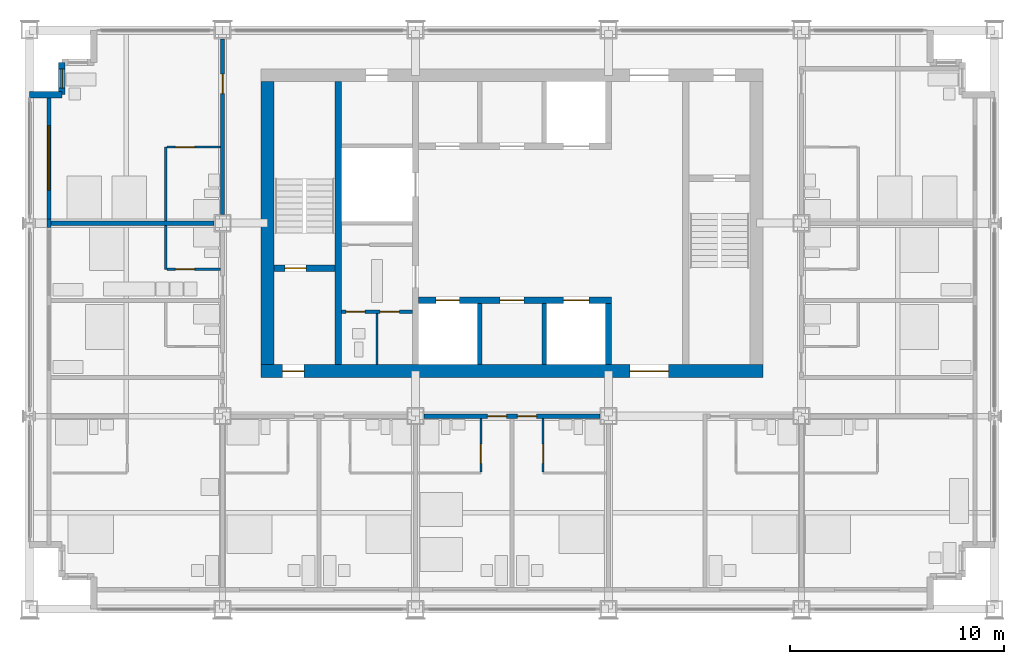
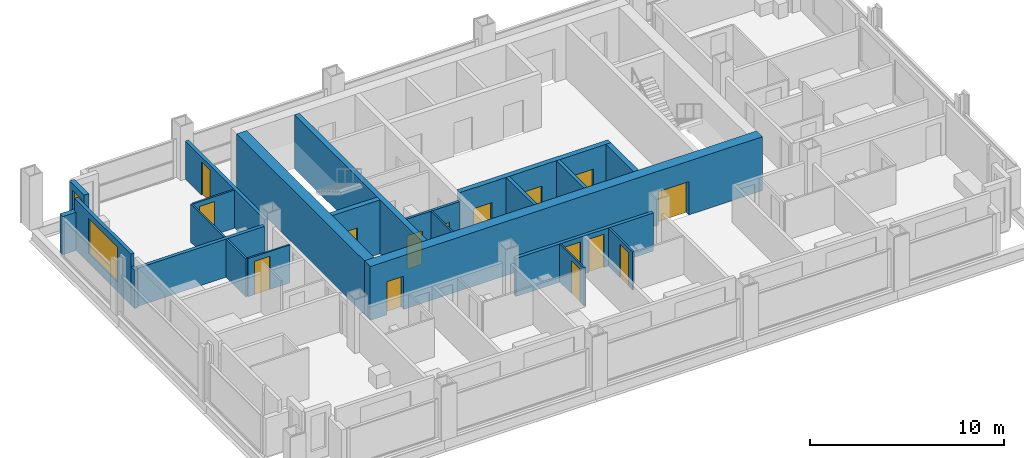
# One storey, part 8 of 14: 23 walls, 15 doors, 2 windows, 17 openings.
"""IFC4 building model written with IfcOpenShell, lengths in metres."""

from ifc_helpers import new_model, si_unit, direction, frame, frame_2d, origin, place, context, subcontext, project, spatial, rectangle, extrude, material, layer, layer_set, type_object, element, fill, save


model = new_model("IFC4")

# Units and contexts
model_context = context("Model", 3, precision=1e-05, world=origin(), true_north=direction((0.0, 1.0)))
body_context = subcontext(model_context, "Body", "Model", "MODEL_VIEW")
ifc_project = project(units=[si_unit("LENGTHUNIT", "METRE"), si_unit("AREAUNIT", "SQUARE_METRE"), si_unit("VOLUMEUNIT", "CUBIC_METRE"), si_unit("PLANEANGLEUNIT", "RADIAN"), si_unit("MASSUNIT", "GRAM", prefix="KILO")], contexts=[model_context])

# Site, building, storey
site_placement = place(None, origin())
site = spatial("IfcSite", under=ifc_project, at=site_placement, CompositionType="ELEMENT")
building_placement = place(site_placement, origin())
building = spatial("IfcBuilding", under=site, at=building_placement, Name="Loomwork Tower", CompositionType="ELEMENT")
storey_placement = place(building_placement, frame((0.0, 0.0, 167.199951171875)))
storey = spatial("IfcBuildingStorey", under=building, at=storey_placement, Name="L45", CompositionType="ELEMENT", Elevation=167.199951171875)

# Wall
ifc_material_1 = material(Name="Concrete 14000 psi (97 MPa)", Category="concrete")
ifc_layer_1 = layer(ifc_material_1, 0.300048828125)
ifc_layer_set_1 = layer_set([ifc_layer_1], Name="Core shear wall 300")
wall_type_1 = type_object("IfcWallType", Name="Core shear wall 300", PredefinedType="SHEAR", material=ifc_layer_set_1)
wall_1_placement = place(storey_placement, frame((14.39990234375, 11.39990234375, 0.0), z_axis=(0.0, 0.0, 1.0), x_axis=(0.0, 1.0, 0.0)))
element("IfcWall", 1, at=wall_1_placement, inside=storey, type_object=wall_type_1, Name="Stair A east wall L45", PredefinedType="SHEAR", context=body_context, shape_type="SweptSolid", body=[
    extrude(rectangle(XDim=13.2001953125, YDim=0.300048828125, at=frame_2d((6.60009765625, 0.0))), origin(), (0.0, 0.0, 1.0), 3.400146484375),
])

# Wall, opening, door
wall_2_placement = place(storey_placement, frame((11.39990234375, 15.89990234375, 0.0), z_axis=(0.0, 0.0, 1.0), x_axis=(1.0, 0.0, 0.0)))
wall_2 = element("IfcWall", 2, at=wall_2_placement, inside=storey, type_object=wall_type_1, Name="Stair A south wall L45", PredefinedType="SHEAR", context=body_context, shape_type="SweptSolid", body=[
    extrude(rectangle(XDim=2.85009765625, YDim=0.300048828125, at=frame_2d((1.425048828125, 0.0))), origin(), (0.0, 0.0, 1.0), 3.400146484375),
])
opening_1_placement = place(wall_2_placement, frame((0.5, 0.0, 0.0)))
opening_1 = element("IfcOpeningElement", 3, at=opening_1_placement, cuts=wall_2, Name="Opening D4", PredefinedType="OPENING", context=body_context, shape_type="SweptSolid", body=[
    extrude(rectangle(XDim=1.0, YDim=2.10009765625, at=frame_2d((0.5, 1.050048828125))), frame((0.0, 0.159912109375, 0.0), z_axis=(0.0, -1.0, 0.0), x_axis=(1.0, 0.0, 0.0)), (0.0, 0.0, 1.0), 0.320068359375),
])
ifc_material_2 = material(Name="Hollow metal door and frame")
door_type_1 = type_object("IfcDoorType", Name="Stair door 1000", OperationType="SINGLE_SWING_RIGHT", PredefinedType="DOOR", material=ifc_material_2)
door_1_placement = place(opening_1_placement, origin())
door_1 = element("IfcDoor", 4, at=door_1_placement, inside=storey, type_object=door_type_1, Name="Stair A door", OperationType="SINGLE_SWING_LEFT", OverallHeight=2.10009765625, OverallWidth=1.0, PredefinedType="DOOR", context=body_context, shape_type="SweptSolid", body=[
    extrude(rectangle(XDim=1.0, YDim=2.10009765625, at=frame_2d((0.5, 1.050048828125))), frame((0.0, 0.02490234375, 0.0), z_axis=(0.0, -1.0, 0.0), x_axis=(1.0, 0.0, 0.0)), (0.0, 0.0, 1.0), 0.050048828125),
])
fill(opening_1, door_1)

# Wall, openings, doors
wall_3_placement = place(storey_placement, frame((18.14990234375, 14.39990234375, 0.0), z_axis=(0.0, 0.0, 1.0), x_axis=(1.0, 0.0, 0.0)))
wall_3 = element("IfcWall", 5, at=wall_3_placement, inside=storey, type_object=wall_type_1, Name="Lift front wall south L45", PredefinedType="SHEAR", context=body_context, shape_type="SweptSolid", body=[
    extrude(rectangle(XDim=9.0, YDim=0.300048828125, at=frame_2d((4.5, 0.0))), origin(), (0.0, 0.0, 1.0), 3.400146484375),
])
opening_2_placement = place(wall_3_placement, frame((0.800048828125, 0.0, 0.0)))
opening_2 = element("IfcOpeningElement", 6, at=opening_2_placement, cuts=wall_3, Name="Opening LD1", PredefinedType="OPENING", context=body_context, shape_type="SweptSolid", body=[
    extrude(rectangle(XDim=1.10009765625, YDim=2.10009765625, at=frame_2d((0.550048828125, 1.050048828125))), frame((0.0, 0.159912109375, 0.0), z_axis=(0.0, -1.0, 0.0), x_axis=(1.0, 0.0, 0.0)), (0.0, 0.0, 1.0), 0.320068359375),
])
opening_3_placement = place(wall_3_placement, frame((6.75, 0.0, 0.0)))
opening_3 = element("IfcOpeningElement", 7, at=opening_3_placement, cuts=wall_3, Name="Opening LD2", PredefinedType="OPENING", context=body_context, shape_type="SweptSolid", body=[
    extrude(rectangle(XDim=1.199951171875, YDim=2.10009765625, at=frame_2d((0.60009765625, 1.050048828125))), frame((0.0, 0.159912109375, 0.0), z_axis=(0.0, -1.0, 0.0), x_axis=(1.0, 0.0, 0.0)), (0.0, 0.0, 1.0), 0.320068359375),
])
opening_4_placement = place(wall_3_placement, frame((3.800048828125, 0.0, 0.0)))
opening_4 = element("IfcOpeningElement", 8, at=opening_4_placement, cuts=wall_3, Name="Opening D17", PredefinedType="OPENING", context=body_context, shape_type="SweptSolid", body=[
    extrude(rectangle(XDim=1.10009765625, YDim=2.10009765625, at=frame_2d((0.550048828125, 1.050048828125))), frame((0.0, 0.159912109375, 0.0), z_axis=(0.0, -1.0, 0.0), x_axis=(1.0, 0.0, 0.0)), (0.0, 0.0, 1.0), 0.320068359375),
])
ifc_material_3 = material(Name="Hollow metal door and frame")
door_type_2 = type_object("IfcDoorType", Name="Lift landing door 1100", OperationType="SLIDING_TO_LEFT", PredefinedType="DOOR", material=ifc_material_3)
door_2_placement = place(opening_2_placement, origin())
door_2 = element("IfcDoor", 9, at=door_2_placement, inside=storey, type_object=door_type_2, Name="Lift landing door LC1", OperationType="SLIDING_TO_LEFT", OverallHeight=2.10009765625, OverallWidth=1.10009765625, PredefinedType="DOOR", context=body_context, shape_type="SweptSolid", body=[
    extrude(rectangle(XDim=1.10009765625, YDim=2.10009765625, at=frame_2d((0.550048828125, 1.050048828125))), frame((0.0, 0.02490234375, 0.0), z_axis=(0.0, -1.0, 0.0), x_axis=(1.0, 0.0, 0.0)), (0.0, 0.0, 1.0), 0.050048828125),
])
fill(opening_2, door_2)
ifc_material_4 = material(Name="Hollow metal door and frame")
door_type_3 = type_object("IfcDoorType", Name="Lift landing door 1200", OperationType="SLIDING_TO_LEFT", PredefinedType="DOOR", material=ifc_material_4)
door_3_placement = place(opening_3_placement, origin())
door_3 = element("IfcDoor", 10, at=door_3_placement, inside=storey, type_object=door_type_3, Name="Lift landing door LF1", OperationType="SLIDING_TO_LEFT", OverallHeight=2.10009765625, OverallWidth=1.199951171875, PredefinedType="DOOR", context=body_context, shape_type="SweptSolid", body=[
    extrude(rectangle(XDim=1.199951171875, YDim=2.10009765625, at=frame_2d((0.60009765625, 1.050048828125))), frame((0.0, 0.02490234375, 0.0), z_axis=(0.0, -1.0, 0.0), x_axis=(1.0, 0.0, 0.0)), (0.0, 0.0, 1.0), 0.050048828125),
])
fill(opening_3, door_3)
ifc_material_5 = material(Name="Hollow metal door and frame")
door_type_4 = type_object("IfcDoorType", Name="Service room door 1100", OperationType="SINGLE_SWING_LEFT", PredefinedType="DOOR", material=ifc_material_5)
door_4_placement = place(opening_4_placement, frame((1.10009765625, 0.0, 0.0), z_axis=(0.0, 0.0, 1.0), x_axis=(-1.0, 0.0, 0.0)))
door_4 = element("IfcDoor", 11, at=door_4_placement, inside=storey, type_object=door_type_4, Name="Guest pantry, ice and vending door L45", OperationType="SINGLE_SWING_RIGHT", OverallHeight=2.10009765625, OverallWidth=1.10009765625, PredefinedType="DOOR", context=body_context, shape_type="SweptSolid", body=[
    extrude(rectangle(XDim=1.10009765625, YDim=2.10009765625, at=frame_2d((0.550048828125, 1.050048828125))), frame((0.0, 0.02490234375, 0.0), z_axis=(0.0, -1.0, 0.0), x_axis=(1.0, 0.0, 0.0)), (0.0, 0.0, 1.0), 0.050048828125),
])
fill(opening_4, door_4)

# Wall
wall_4_placement = place(storey_placement, frame((27.0, 11.39990234375, 0.0), z_axis=(0.0, 0.0, 1.0), x_axis=(0.0, 1.0, 0.0)))
element("IfcWall", 12, at=wall_4_placement, inside=storey, type_object=wall_type_1, Name="Lift shaft end wall south L45", PredefinedType="SHEAR", context=body_context, shape_type="SweptSolid", body=[
    extrude(rectangle(XDim=2.85009765625, YDim=0.300048828125, at=frame_2d((1.425048828125, 0.0))), origin(), (0.0, 0.0, 1.0), 3.400146484375),
])

# Wall, openings, doors
ifc_material_6 = material(Name="Concrete 14000 psi (97 MPa)", Category="concrete")
ifc_layer_2 = layer(ifc_material_6, 0.60009765625)
ifc_layer_set_2 = layer_set([ifc_layer_2], Name="Core shear wall 600")
wall_type_2 = type_object("IfcWallType", Name="Core shear wall 600", PredefinedType="SHEAR", material=ifc_layer_set_2)
wall_5_placement = place(storey_placement, frame((10.800048828125, 11.10009765625, 0.0), z_axis=(0.0, 0.0, 1.0), x_axis=(1.0, 0.0, 0.0)))
wall_5 = element("IfcWall", 13, at=wall_5_placement, inside=storey, type_object=wall_type_2, Name="Core wall south L45", PredefinedType="SHEAR", context=body_context, shape_type="SweptSolid", body=[
    extrude(rectangle(XDim=23.39990234375, YDim=0.60009765625, at=frame_2d((11.699951171875, 0.0))), origin(), (0.0, 0.0, 1.0), 3.400146484375),
])
opening_5_placement = place(wall_5_placement, frame((1.0, 0.0, 0.0)))
opening_5 = element("IfcOpeningElement", 14, at=opening_5_placement, cuts=wall_5, Name="Opening D4", PredefinedType="OPENING", context=body_context, shape_type="SweptSolid", body=[
    extrude(rectangle(XDim=1.0, YDim=2.10009765625, at=frame_2d((0.5, 1.050048828125))), frame((0.0, 0.31005859375, 0.0), z_axis=(0.0, -1.0, 0.0), x_axis=(1.0, 0.0, 0.0)), (0.0, 0.0, 1.0), 0.6201171875),
])
opening_6_placement = place(wall_5_placement, frame((17.199951171875, 0.0, 0.0)))
opening_6 = element("IfcOpeningElement", 15, at=opening_6_placement, cuts=wall_5, Name="Opening D6", PredefinedType="OPENING", context=body_context, shape_type="SweptSolid", body=[
    extrude(rectangle(XDim=1.800048828125, YDim=2.10009765625, at=frame_2d((0.89990234375, 1.050048828125))), frame((0.0, 0.31005859375, 0.0), z_axis=(0.0, -1.0, 0.0), x_axis=(1.0, 0.0, 0.0)), (0.0, 0.0, 1.0), 0.6201171875),
])
ifc_material_7 = material(Name="Hollow metal door and frame")
door_type_5 = type_object("IfcDoorType", Name="Lobby passage double door 1800", OperationType="DOUBLE_DOOR_SINGLE_SWING", PredefinedType="DOOR", material=ifc_material_7)
door_5_placement = place(opening_6_placement, origin())
door_5 = element("IfcDoor", 16, at=door_5_placement, inside=storey, type_object=door_type_5, Name="Lobby passage door south", OperationType="DOUBLE_DOOR_SINGLE_SWING", OverallHeight=2.10009765625, OverallWidth=1.800048828125, PredefinedType="DOOR", context=body_context, shape_type="SweptSolid", body=[
    extrude(rectangle(XDim=1.800048828125, YDim=2.10009765625, at=frame_2d((0.89990234375, 1.050048828125))), frame((0.0, 0.02490234375, 0.0), z_axis=(0.0, -1.0, 0.0), x_axis=(1.0, 0.0, 0.0)), (0.0, 0.0, 1.0), 0.050048828125),
])
fill(opening_6, door_5)
door_6_placement = place(opening_5_placement, origin())
door_6 = element("IfcDoor", 17, at=door_6_placement, inside=storey, type_object=door_type_1, Name="Stair A vestibule door", OperationType="SINGLE_SWING_LEFT", OverallHeight=2.10009765625, OverallWidth=1.0, PredefinedType="DOOR", context=body_context, shape_type="SweptSolid", body=[
    extrude(rectangle(XDim=1.0, YDim=2.10009765625, at=frame_2d((0.5, 1.050048828125))), frame((0.0, 0.02490234375, 0.0), z_axis=(0.0, -1.0, 0.0), x_axis=(1.0, 0.0, 0.0)), (0.0, 0.0, 1.0), 0.050048828125),
])
fill(opening_5, door_6)

# Wall
wall_6_placement = place(storey_placement, frame((11.10009765625, 11.39990234375, 0.0), z_axis=(0.0, 0.0, 1.0), x_axis=(0.0, 1.0, 0.0)))
element("IfcWall", 18, at=wall_6_placement, inside=storey, type_object=wall_type_2, Name="Core wall west L45", PredefinedType="SHEAR", context=body_context, shape_type="SweptSolid", body=[
    extrude(rectangle(XDim=13.2001953125, YDim=0.60009765625, at=frame_2d((6.60009765625, 0.0))), origin(), (0.0, 0.0, 1.0), 3.400146484375),
])

# Wall, openings, doors
ifc_material_8 = material(Name="Gypsum board on steel studs, one-hour", Category="steel")
ifc_layer_3 = layer(ifc_material_8, 0.199951171875)
ifc_layer_set_3 = layer_set([ifc_layer_3], Name="Corridor wall 200")
wall_type_3 = type_object("IfcWallType", Name="Corridor wall 200", PredefinedType="PARTITIONING", material=ifc_layer_set_3)
wall_7_placement = place(storey_placement, frame((18.39990234375, 9.0, 0.0), z_axis=(0.0, 0.0, 1.0), x_axis=(1.0, 0.0, 0.0)))
wall_7 = element("IfcWall", 19, at=wall_7_placement, inside=storey, type_object=wall_type_3, Name="South corridor wall 3", PredefinedType="PARTITIONING", context=body_context, shape_type="SweptSolid", body=[
    extrude(rectangle(XDim=8.2001953125, YDim=0.199951171875, at=frame_2d((4.10009765625, 0.0))), origin(), (0.0, 0.0, 1.0), 2.405029296875),
])
opening_7_placement = place(wall_7_placement, frame((2.949951171875, 0.0, 0.0)))
opening_7 = element("IfcOpeningElement", 20, at=opening_7_placement, cuts=wall_7, Name="Opening D1", PredefinedType="OPENING", context=body_context, shape_type="SweptSolid", body=[
    extrude(rectangle(XDim=0.89990234375, YDim=2.10009765625, at=frame_2d((0.449951171875, 1.050048828125))), frame((0.0, 0.10986328125, 0.0), z_axis=(0.0, -1.0, 0.0), x_axis=(1.0, 0.0, 0.0)), (0.0, 0.0, 1.0), 0.219970703125),
])
opening_8_placement = place(wall_7_placement, frame((4.35009765625, 0.0, 0.0)))
opening_8 = element("IfcOpeningElement", 21, at=opening_8_placement, cuts=wall_7, Name="Opening D1", PredefinedType="OPENING", context=body_context, shape_type="SweptSolid", body=[
    extrude(rectangle(XDim=0.89990234375, YDim=2.10009765625, at=frame_2d((0.449951171875, 1.050048828125))), frame((0.0, 0.10986328125, 0.0), z_axis=(0.0, -1.0, 0.0), x_axis=(1.0, 0.0, 0.0)), (0.0, 0.0, 1.0), 0.219970703125),
])
ifc_material_9 = material(Name="Hollow metal door and frame")
door_type_6 = type_object("IfcDoorType", Name="Guest room entry door 900", OperationType="SINGLE_SWING_LEFT", PredefinedType="DOOR", material=ifc_material_9)
door_7_placement = place(opening_7_placement, frame((0.89990234375, 0.0, 0.0), z_axis=(0.0, 0.0, 1.0), x_axis=(-1.0, 0.0, 0.0)))
door_7 = element("IfcDoor", 22, at=door_7_placement, inside=storey, type_object=door_type_6, Name="Guest room entry door L45 4", OperationType="SINGLE_SWING_LEFT", OverallHeight=2.10009765625, OverallWidth=0.89990234375, PredefinedType="DOOR", context=body_context, shape_type="SweptSolid", body=[
    extrude(rectangle(XDim=0.89990234375, YDim=2.10009765625, at=frame_2d((0.449951171875, 1.050048828125))), frame((0.0, 0.02490234375, 0.0), z_axis=(0.0, -1.0, 0.0), x_axis=(1.0, 0.0, 0.0)), (0.0, 0.0, 1.0), 0.050048828125),
])
fill(opening_7, door_7)
door_8_placement = place(opening_8_placement, frame((0.89990234375, 0.0, 0.0), z_axis=(0.0, 0.0, 1.0), x_axis=(-1.0, 0.0, 0.0)))
door_8 = element("IfcDoor", 23, at=door_8_placement, inside=storey, type_object=door_type_6, Name="Guest room entry door L45 5", OperationType="SINGLE_SWING_RIGHT", OverallHeight=2.10009765625, OverallWidth=0.89990234375, PredefinedType="DOOR", context=body_context, shape_type="SweptSolid", body=[
    extrude(rectangle(XDim=0.89990234375, YDim=2.10009765625, at=frame_2d((0.449951171875, 1.050048828125))), frame((0.0, 0.02490234375, 0.0), z_axis=(0.0, -1.0, 0.0), x_axis=(1.0, 0.0, 0.0)), (0.0, 0.0, 1.0), 0.050048828125),
])
fill(opening_8, door_8)

# Wall, opening, door
wall_8_placement = place(storey_placement, frame((9.0, 18.39990234375, 0.0), z_axis=(0.0, 0.0, 1.0), x_axis=(0.0, 1.0, 0.0)))
wall_8 = element("IfcWall", 24, at=wall_8_placement, inside=storey, type_object=wall_type_3, Name="West corridor wall 2", PredefinedType="PARTITIONING", context=body_context, shape_type="SweptSolid", body=[
    extrude(rectangle(XDim=8.2001953125, YDim=0.199951171875, at=frame_2d((4.10009765625, 0.0))), origin(), (0.0, 0.0, 1.0), 2.405029296875),
])
opening_9_placement = place(wall_8_placement, frame((5.64990234375, 0.0, 0.0)))
opening_9 = element("IfcOpeningElement", 25, at=opening_9_placement, cuts=wall_8, Name="Opening D1", PredefinedType="OPENING", context=body_context, shape_type="SweptSolid", body=[
    extrude(rectangle(XDim=0.89990234375, YDim=2.10009765625, at=frame_2d((0.449951171875, 1.050048828125))), frame((0.0, 0.10986328125, 0.0), z_axis=(0.0, -1.0, 0.0), x_axis=(1.0, 0.0, 0.0)), (0.0, 0.0, 1.0), 0.219970703125),
])
door_9_placement = place(opening_9_placement, origin())
door_9 = element("IfcDoor", 26, at=door_9_placement, inside=storey, type_object=door_type_6, Name="Guest room entry door L45 10", OperationType="SINGLE_SWING_RIGHT", OverallHeight=2.10009765625, OverallWidth=0.89990234375, PredefinedType="DOOR", context=body_context, shape_type="SweptSolid", body=[
    extrude(rectangle(XDim=0.89990234375, YDim=2.10009765625, at=frame_2d((0.449951171875, 1.050048828125))), frame((0.0, 0.02490234375, 0.0), z_axis=(0.0, -1.0, 0.0), x_axis=(1.0, 0.0, 0.0)), (0.0, 0.0, 1.0), 0.050048828125),
])
fill(opening_9, door_9)

ifc_material_10 = material(Name="Cement board on steel studs", Category="steel")
ifc_layer_4 = layer(ifc_material_10, 0.10009765625)
ifc_layer_set_4 = layer_set([ifc_layer_4], Name="En-suite partition 100")
wall_type_4 = type_object("IfcWallType", Name="En-suite partition 100", PredefinedType="PARTITIONING", material=ifc_layer_set_4)
wall_9_placement = place(storey_placement, frame((21.050048828125, 8.89990234375, 0.0), z_axis=(0.0, 0.0, 1.0), x_axis=(0.0, -1.0, 0.0)))
wall_9 = element("IfcWall", 27, at=wall_9_placement, inside=storey, type_object=wall_type_4, Name="En-suite side wall L45 room 4", PredefinedType="PARTITIONING", context=body_context, shape_type="SweptSolid", body=[
    extrude(rectangle(XDim=2.5, YDim=0.10009765625, at=frame_2d((1.25, 0.0))), origin(), (0.0, 0.0, 1.0), 2.404052734375),
])
opening_10_placement = place(wall_9_placement, frame((1.199951171875, 0.0, 0.0)))
opening_10 = element("IfcOpeningElement", 28, at=opening_10_placement, cuts=wall_9, Name="Opening D2", PredefinedType="OPENING", context=body_context, shape_type="SweptSolid", body=[
    extrude(rectangle(XDim=0.89990234375, YDim=2.10009765625, at=frame_2d((0.449951171875, 1.050048828125))), frame((0.0, 0.06005859375, 0.0), z_axis=(0.0, -1.0, 0.0), x_axis=(1.0, 0.0, 0.0)), (0.0, 0.0, 1.0), 0.1201171875),
])
ifc_material_11 = material(Name="Hollow metal door and frame")
door_type_7 = type_object("IfcDoorType", Name="En-suite door 900", OperationType="SINGLE_SWING_LEFT", PredefinedType="DOOR", material=ifc_material_11)
door_10_placement = place(opening_10_placement, frame((0.89990234375, 0.0, 0.0), z_axis=(0.0, 0.0, 1.0), x_axis=(-1.0, 0.0, 0.0)))
door_10 = element("IfcDoor", 29, at=door_10_placement, inside=storey, type_object=door_type_7, Name="En-suite door room 4", OperationType="SINGLE_SWING_LEFT", OverallHeight=2.10009765625, OverallWidth=0.89990234375, PredefinedType="DOOR", context=body_context, shape_type="SweptSolid", body=[
    extrude(rectangle(XDim=0.89990234375, YDim=2.10009765625, at=frame_2d((0.449951171875, 1.050048828125))), frame((0.0, 0.02490234375, 0.0), z_axis=(0.0, -1.0, 0.0), x_axis=(1.0, 0.0, 0.0)), (0.0, 0.0, 1.0), 0.050048828125),
])
fill(opening_10, door_10)

wall_10_placement = place(storey_placement, frame((23.949951171875, 8.89990234375, 0.0), z_axis=(0.0, 0.0, 1.0), x_axis=(0.0, -1.0, 0.0)))
wall_10 = element("IfcWall", 30, at=wall_10_placement, inside=storey, type_object=wall_type_4, Name="En-suite side wall L45 room 5", PredefinedType="PARTITIONING", context=body_context, shape_type="SweptSolid", body=[
    extrude(rectangle(XDim=2.5, YDim=0.10009765625, at=frame_2d((1.25, 0.0))), origin(), (0.0, 0.0, 1.0), 2.404052734375),
])
opening_11_placement = place(wall_10_placement, frame((1.199951171875, 0.0, 0.0)))
opening_11 = element("IfcOpeningElement", 31, at=opening_11_placement, cuts=wall_10, Name="Opening D2", PredefinedType="OPENING", context=body_context, shape_type="SweptSolid", body=[
    extrude(rectangle(XDim=0.89990234375, YDim=2.10009765625, at=frame_2d((0.449951171875, 1.050048828125))), frame((0.0, 0.06005859375, 0.0), z_axis=(0.0, -1.0, 0.0), x_axis=(1.0, 0.0, 0.0)), (0.0, 0.0, 1.0), 0.1201171875),
])
door_11_placement = place(opening_11_placement, origin())
door_11 = element("IfcDoor", 32, at=door_11_placement, inside=storey, type_object=door_type_7, Name="En-suite door room 5", OperationType="SINGLE_SWING_RIGHT", OverallHeight=2.10009765625, OverallWidth=0.89990234375, PredefinedType="DOOR", context=body_context, shape_type="SweptSolid", body=[
    extrude(rectangle(XDim=0.89990234375, YDim=2.10009765625, at=frame_2d((0.449951171875, 1.050048828125))), frame((0.0, 0.02490234375, 0.0), z_axis=(0.0, -1.0, 0.0), x_axis=(1.0, 0.0, 0.0)), (0.0, 0.0, 1.0), 0.050048828125),
])
fill(opening_11, door_11)

# Wall
wall_11_placement = place(storey_placement, frame((6.35009765625, 15.85009765625, 0.0), z_axis=(0.0, 0.0, 1.0), x_axis=(0.0, 1.0, 0.0)))
element("IfcWall", 33, at=wall_11_placement, inside=storey, type_object=wall_type_4, Name="En-suite wall L45 room 9", PredefinedType="PARTITIONING", context=body_context, shape_type="SweptSolid", body=[
    extrude(rectangle(XDim=2.0498046875, YDim=0.10009765625, at=frame_2d((1.02490234375, 0.0))), origin(), (0.0, 0.0, 1.0), 2.404052734375),
])

# Wall, opening, door
wall_12_placement = place(storey_placement, frame((8.89990234375, 15.85009765625, 0.0), z_axis=(0.0, 0.0, 1.0), x_axis=(-1.0, 0.0, 0.0)))
wall_12 = element("IfcWall", 34, at=wall_12_placement, inside=storey, type_object=wall_type_4, Name="En-suite side wall L45 room 9", PredefinedType="PARTITIONING", context=body_context, shape_type="SweptSolid", body=[
    extrude(rectangle(XDim=2.5, YDim=0.10009765625, at=frame_2d((1.25, 0.0))), origin(), (0.0, 0.0, 1.0), 2.404052734375),
])
opening_12_placement = place(wall_12_placement, frame((1.199951171875, 0.0, 0.0)))
opening_12 = element("IfcOpeningElement", 35, at=opening_12_placement, cuts=wall_12, Name="Opening D2", PredefinedType="OPENING", context=body_context, shape_type="SweptSolid", body=[
    extrude(rectangle(XDim=0.89990234375, YDim=2.10009765625, at=frame_2d((0.449951171875, 1.050048828125))), frame((0.0, 0.06005859375, 0.0), z_axis=(0.0, -1.0, 0.0), x_axis=(1.0, 0.0, 0.0)), (0.0, 0.0, 1.0), 0.1201171875),
])
door_12_placement = place(opening_12_placement, frame((0.89990234375, 0.0, 0.0), z_axis=(0.0, 0.0, 1.0), x_axis=(-1.0, 0.0, 0.0)))
door_12 = element("IfcDoor", 36, at=door_12_placement, inside=storey, type_object=door_type_7, Name="En-suite door room 9", OperationType="SINGLE_SWING_LEFT", OverallHeight=2.10009765625, OverallWidth=0.89990234375, PredefinedType="DOOR", context=body_context, shape_type="SweptSolid", body=[
    extrude(rectangle(XDim=0.89990234375, YDim=2.10009765625, at=frame_2d((0.449951171875, 1.050048828125))), frame((0.0, 0.02490234375, 0.0), z_axis=(0.0, -1.0, 0.0), x_axis=(1.0, 0.0, 0.0)), (0.0, 0.0, 1.0), 0.050048828125),
])
fill(opening_12, door_12)

# Wall
wall_13_placement = place(storey_placement, frame((6.35009765625, 18.10009765625, 0.0), z_axis=(0.0, 0.0, 1.0), x_axis=(0.0, 1.0, 0.0)))
element("IfcWall", 37, at=wall_13_placement, inside=storey, type_object=wall_type_4, Name="En-suite wall L45 room 10", PredefinedType="PARTITIONING", context=body_context, shape_type="SweptSolid", body=[
    extrude(rectangle(XDim=3.449951171875, YDim=0.10009765625, at=frame_2d((1.72509765625, 0.0))), origin(), (0.0, 0.0, 1.0), 2.404052734375),
])

# Wall, opening, door
wall_14_placement = place(storey_placement, frame((8.89990234375, 21.550048828125, 0.0), z_axis=(0.0, 0.0, 1.0), x_axis=(-1.0, 0.0, 0.0)))
wall_14 = element("IfcWall", 38, at=wall_14_placement, inside=storey, type_object=wall_type_4, Name="En-suite side wall L45 room 10", PredefinedType="PARTITIONING", context=body_context, shape_type="SweptSolid", body=[
    extrude(rectangle(XDim=2.5, YDim=0.10009765625, at=frame_2d((1.25, 0.0))), origin(), (0.0, 0.0, 1.0), 2.404052734375),
])
opening_13_placement = place(wall_14_placement, frame((1.199951171875, 0.0, 0.0)))
opening_13 = element("IfcOpeningElement", 39, at=opening_13_placement, cuts=wall_14, Name="Opening D2", PredefinedType="OPENING", context=body_context, shape_type="SweptSolid", body=[
    extrude(rectangle(XDim=0.89990234375, YDim=2.10009765625, at=frame_2d((0.449951171875, 1.050048828125))), frame((0.0, 0.06005859375, 0.0), z_axis=(0.0, -1.0, 0.0), x_axis=(1.0, 0.0, 0.0)), (0.0, 0.0, 1.0), 0.1201171875),
])
door_13_placement = place(opening_13_placement, origin())
door_13 = element("IfcDoor", 40, at=door_13_placement, inside=storey, type_object=door_type_7, Name="En-suite door room 10", OperationType="SINGLE_SWING_RIGHT", OverallHeight=2.10009765625, OverallWidth=0.89990234375, PredefinedType="DOOR", context=body_context, shape_type="SweptSolid", body=[
    extrude(rectangle(XDim=0.89990234375, YDim=2.10009765625, at=frame_2d((0.449951171875, 1.050048828125))), frame((0.0, 0.02490234375, 0.0), z_axis=(0.0, -1.0, 0.0), x_axis=(1.0, 0.0, 0.0)), (0.0, 0.0, 1.0), 0.050048828125),
])
fill(opening_13, door_13)

# Walls
wall_15_placement = place(storey_placement, frame((16.199951171875, 11.39990234375, 0.0), z_axis=(0.0, 0.0, 1.0), x_axis=(0.0, 1.0, 0.0)))
element("IfcWall", 41, at=wall_15_placement, inside=storey, type_object=wall_type_4, Name="Back-of-house partition L45 2", PredefinedType="PARTITIONING", context=body_context, shape_type="SweptSolid", body=[
    extrude(rectangle(XDim=2.400146484375, YDim=0.10009765625, at=frame_2d((1.2001953125, 0.0))), origin(), (0.0, 0.0, 1.0), 3.199951171875),
])
ifc_material_12 = material(Name="Gypsum board on steel studs, acoustic", Category="steel")
ifc_layer_5 = layer(ifc_material_12, 0.199951171875)
ifc_layer_set_5 = layer_set([ifc_layer_5], Name="Guest room party wall 200")
wall_type_5 = type_object("IfcWallType", Name="Guest room party wall 200", PredefinedType="PARTITIONING", material=ifc_layer_set_5)
wall_16_placement = place(storey_placement, frame((8.60009765625, 18.0, 0.0), z_axis=(0.0, 0.0, 1.0), x_axis=(-1.0, 0.0, 0.0)))
element("IfcWall", 42, at=wall_16_placement, inside=storey, type_object=wall_type_5, Name="Guest room party wall W 18", PredefinedType="PARTITIONING", context=body_context, shape_type="SweptSolid", body=[
    extrude(rectangle(XDim=7.60009765625, YDim=0.199951171875, at=frame_2d((3.800048828125, 0.0))), origin(), (0.0, 0.0, 1.0), 2.405029296875),
])
ifc_material_13 = material(Name="Insulated steel stud wall with gypsum lining", Category="steel")
ifc_layer_6 = layer(ifc_material_13, 0.199951171875)
ifc_layer_set_6 = layer_set([ifc_layer_6], Name="Inner skin wall 200")
wall_type_6 = type_object("IfcWallType", Name="Inner skin wall 200", PredefinedType="SOLIDWALL", material=ifc_layer_set_6)
wall_17_placement = place(storey_placement, frame((0.89990234375, 17.80615234375, 0.0), z_axis=(0.0, 0.0, 1.0), x_axis=(0.0, 1.0, 0.0)))
element("IfcWall", 43, at=wall_17_placement, inside=storey, type_object=wall_type_6, Name="Inner skin wall W bay 6", PredefinedType="SOLIDWALL", context=body_context, shape_type="SweptSolid", body=[
    extrude(rectangle(XDim=0.3876953125, YDim=0.199951171875, at=frame_2d((0.19384765625, 0.0))), origin(), (0.0, 0.0, 1.0), 2.404052734375),
])

# Wall, opening, window
wall_18_placement = place(storey_placement, frame((0.89990234375, 18.19384765625, 0.0), z_axis=(0.0, 0.0, 1.0), x_axis=(0.0, 1.0, 0.0)))
wall_18 = element("IfcWall", 44, at=wall_18_placement, inside=storey, type_object=wall_type_6, Name="Inner skin wall W bay 7", PredefinedType="SOLIDWALL", context=body_context, shape_type="SweptSolid", body=[
    extrude(rectangle(XDim=5.80615234375, YDim=0.199951171875, at=frame_2d((2.903076171875, 0.0))), origin(), (0.0, 0.0, 1.0), 3.199951171875),
])
opening_14_placement = place(wall_18_placement, frame((1.356201171875, 0.0, 0.60009765625)))
opening_14 = element("IfcOpeningElement", 45, at=opening_14_placement, cuts=wall_18, Name="Opening CH1", PredefinedType="OPENING", context=body_context, shape_type="SweptSolid", body=[
    extrude(rectangle(XDim=3.0, YDim=2.199951171875, at=frame_2d((1.5, 1.10009765625))), frame((0.0, 0.10986328125, 0.0), z_axis=(0.0, -1.0, 0.0), x_axis=(1.0, 0.0, 0.0)), (0.0, 0.0, 1.0), 0.219970703125),
])
ifc_material_14 = material(Name="Aluminium frame with clear insulated glass", Category="aluminium")
window_type_1 = type_object("IfcWindowType", Name="Chicago window 3000", PartitioningType="TRIPLE_PANEL_VERTICAL", PredefinedType="WINDOW", material=ifc_material_14)
window_1_placement = place(opening_14_placement, origin())
window_1 = element("IfcWindow", 46, at=window_1_placement, inside=storey, type_object=window_type_1, Name="Chicago window L45 bay 7", OverallHeight=2.199951171875, OverallWidth=3.0, PartitioningType="TRIPLE_PANEL_VERTICAL", PredefinedType="WINDOW", context=body_context, shape_type="SweptSolid", body=[
    extrude(rectangle(XDim=3.0, YDim=2.199951171875, at=frame_2d((1.5, 1.10009765625))), frame((0.0, 0.030029296875, 0.0), z_axis=(0.0, -1.0, 0.0), x_axis=(1.0, 0.0, 0.0)), (0.0, 0.0, 1.0), 0.06005859375),
])
fill(opening_14, window_1)

# Walls
ifc_material_15 = material(Name="Concrete 14000 psi (97 MPa)", Category="concrete")
ifc_layer_7 = layer(ifc_material_15, 0.199951171875)
ifc_layer_set_7 = layer_set([ifc_layer_7], Name="Lift shaft wall 200")
wall_type_7 = type_object("IfcWallType", Name="Lift shaft wall 200", PredefinedType="SHEAR", material=ifc_layer_set_7)
for number, where, z_axis, x_axis, name in (
    (47, (21.0, 11.39990234375, 0.0), (0.0, 0.0, 1.0), (0.0, 1.0, 0.0), "Lift shaft separation wall south 1 L45"),
    (48, (24.0, 11.39990234375, 0.0), (0.0, 0.0, 1.0), (0.0, 1.0, 0.0), "Lift shaft separation wall south 2 L45"),
):
    element("IfcWall", number, at=place(storey_placement, frame(where, z_axis=z_axis, x_axis=x_axis)), inside=storey, type_object=wall_type_7, Name=name, PredefinedType="SHEAR", context=body_context, shape_type="SweptSolid", body=[
        extrude(rectangle(XDim=2.85009765625, YDim=0.199951171875, at=frame_2d((1.425048828125, 0.0))), origin(), (0.0, 0.0, 1.0), 3.400146484375),
    ])

# Wall, opening, window
ifc_material_16 = material(Name="Limestone on concrete masonry", Category="masonry")
ifc_layer_8 = layer(ifc_material_16, 0.300048828125)
ifc_layer_set_8 = layer_set([ifc_layer_8], Name="Limestone corner wall 300")
wall_type_8 = type_object("IfcWallType", Name="Limestone corner wall 300", PredefinedType="SOLIDWALL", material=ifc_layer_set_8)
wall_19_placement = place(storey_placement, frame((1.5, 25.5, 0.0), z_axis=(0.0, 0.0, 1.0), x_axis=(0.0, -1.0, 0.0)))
wall_19 = element("IfcWall", 49, at=wall_19_placement, inside=storey, type_object=wall_type_8, Name="Stone corner wall NW 3", PredefinedType="SOLIDWALL", context=body_context, shape_type="SweptSolid", body=[
    extrude(rectangle(XDim=1.5, YDim=0.300048828125, at=frame_2d((0.75, 0.0))), origin(), (0.0, 0.0, 1.0), 3.199951171875),
])
opening_15_placement = place(wall_19_placement, frame((0.300048828125, 0.0, 0.60009765625)))
opening_15 = element("IfcOpeningElement", 50, at=opening_15_placement, cuts=wall_19, Name="Opening CH2", PredefinedType="OPENING", context=body_context, shape_type="SweptSolid", body=[
    extrude(rectangle(XDim=0.89990234375, YDim=2.199951171875, at=frame_2d((0.449951171875, 1.10009765625))), frame((0.0, 0.159912109375, 0.0), z_axis=(0.0, -1.0, 0.0), x_axis=(1.0, 0.0, 0.0)), (0.0, 0.0, 1.0), 0.320068359375),
])
ifc_material_17 = material(Name="Aluminium frame with clear insulated glass", Category="aluminium")
window_type_2 = type_object("IfcWindowType", Name="Corner window 900", PartitioningType="SINGLE_PANEL", PredefinedType="WINDOW", material=ifc_material_17)
window_2_placement = place(opening_15_placement, origin())
window_2 = element("IfcWindow", 51, at=window_2_placement, inside=storey, type_object=window_type_2, Name="Corner window NW", OverallHeight=2.199951171875, OverallWidth=0.89990234375, PartitioningType="SINGLE_PANEL", PredefinedType="WINDOW", context=body_context, shape_type="SweptSolid", body=[
    extrude(rectangle(XDim=0.89990234375, YDim=2.199951171875, at=frame_2d((0.449951171875, 1.10009765625))), frame((0.0, 0.030029296875, 0.0), z_axis=(0.0, -1.0, 0.0), x_axis=(1.0, 0.0, 0.0)), (0.0, 0.0, 1.0), 0.06005859375),
])
fill(opening_15, window_2)

# Wall
wall_20_placement = place(storey_placement, frame((1.5, 24.0, 0.0), z_axis=(0.0, 0.0, 1.0), x_axis=(-1.0, 0.0, 0.0)))
element("IfcWall", 52, at=wall_20_placement, inside=storey, type_object=wall_type_8, Name="Stone corner wall NW 4", PredefinedType="SOLIDWALL", context=body_context, shape_type="SweptSolid", body=[
    extrude(rectangle(XDim=1.5, YDim=0.300048828125, at=frame_2d((0.75, 0.0))), origin(), (0.0, 0.0, 1.0), 2.420166015625),
])

# Wall, openings, doors
ifc_material_18 = material(Name="Gypsum board on steel studs, one-hour", Category="steel")
ifc_layer_9 = layer(ifc_material_18, 0.14990234375)
ifc_layer_set_9 = layer_set([ifc_layer_9], Name="Service partition 150")
wall_type_9 = type_object("IfcWallType", Name="Service partition 150", PredefinedType="PARTITIONING", material=ifc_layer_set_9)
wall_21_placement = place(storey_placement, frame((14.550048828125, 13.875, 0.0), z_axis=(0.0, 0.0, 1.0), x_axis=(1.0, 0.0, 0.0)))
wall_21 = element("IfcWall", 53, at=wall_21_placement, inside=storey, type_object=wall_type_9, Name="Back-of-house partition L45", PredefinedType="PARTITIONING", context=body_context, shape_type="SweptSolid", body=[
    extrude(rectangle(XDim=3.300048828125, YDim=0.14990234375, at=frame_2d((1.64990234375, 0.0))), origin(), (0.0, 0.0, 1.0), 3.199951171875),
])
opening_16_placement = place(wall_21_placement, frame((0.199951171875, 0.0, 0.0)))
opening_16 = element("IfcOpeningElement", 54, at=opening_16_placement, cuts=wall_21, Name="Opening D20", PredefinedType="OPENING", context=body_context, shape_type="SweptSolid", body=[
    extrude(rectangle(XDim=0.89990234375, YDim=2.10009765625, at=frame_2d((0.449951171875, 1.050048828125))), frame((0.0, 0.0849609375, 0.0), z_axis=(0.0, -1.0, 0.0), x_axis=(1.0, 0.0, 0.0)), (0.0, 0.0, 1.0), 0.169921875),
])
opening_17_placement = place(wall_21_placement, frame((1.800048828125, 0.0, 0.0)))
opening_17 = element("IfcOpeningElement", 55, at=opening_17_placement, cuts=wall_21, Name="Opening D20", PredefinedType="OPENING", context=body_context, shape_type="SweptSolid", body=[
    extrude(rectangle(XDim=0.89990234375, YDim=2.10009765625, at=frame_2d((0.449951171875, 1.050048828125))), frame((0.0, 0.0849609375, 0.0), z_axis=(0.0, -1.0, 0.0), x_axis=(1.0, 0.0, 0.0)), (0.0, 0.0, 1.0), 0.169921875),
])
ifc_material_19 = material(Name="Hollow metal door and frame")
door_type_8 = type_object("IfcDoorType", Name="Back-of-house door 900", OperationType="SINGLE_SWING_LEFT", PredefinedType="DOOR", material=ifc_material_19)
door_14_placement = place(opening_16_placement, frame((0.89990234375, 0.0, 0.0), z_axis=(0.0, 0.0, 1.0), x_axis=(-1.0, 0.0, 0.0)))
door_14 = element("IfcDoor", 56, at=door_14_placement, inside=storey, type_object=door_type_8, Name="Back-of-house room door", OperationType="SINGLE_SWING_RIGHT", OverallHeight=2.10009765625, OverallWidth=0.89990234375, PredefinedType="DOOR", context=body_context, shape_type="SweptSolid", body=[
    extrude(rectangle(XDim=0.89990234375, YDim=2.10009765625, at=frame_2d((0.449951171875, 1.050048828125))), frame((0.0, 0.02490234375, 0.0), z_axis=(0.0, -1.0, 0.0), x_axis=(1.0, 0.0, 0.0)), (0.0, 0.0, 1.0), 0.050048828125),
])
fill(opening_16, door_14)
door_15_placement = place(opening_17_placement, frame((0.89990234375, 0.0, 0.0), z_axis=(0.0, 0.0, 1.0), x_axis=(-1.0, 0.0, 0.0)))
door_15 = element("IfcDoor", 57, at=door_15_placement, inside=storey, type_object=door_type_8, Name="Back-of-house room door", OperationType="SINGLE_SWING_RIGHT", OverallHeight=2.10009765625, OverallWidth=0.89990234375, PredefinedType="DOOR", context=body_context, shape_type="SweptSolid", body=[
    extrude(rectangle(XDim=0.89990234375, YDim=2.10009765625, at=frame_2d((0.449951171875, 1.050048828125))), frame((0.0, 0.02490234375, 0.0), z_axis=(0.0, -1.0, 0.0), x_axis=(1.0, 0.0, 0.0)), (0.0, 0.0, 1.0), 0.050048828125),
])
fill(opening_17, door_15)

save(model, "model.ifc")
